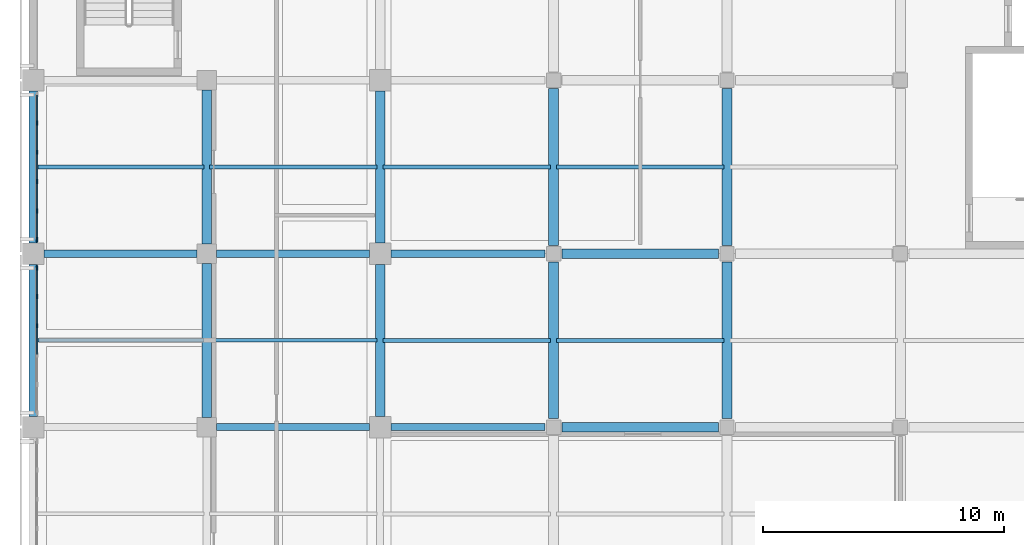
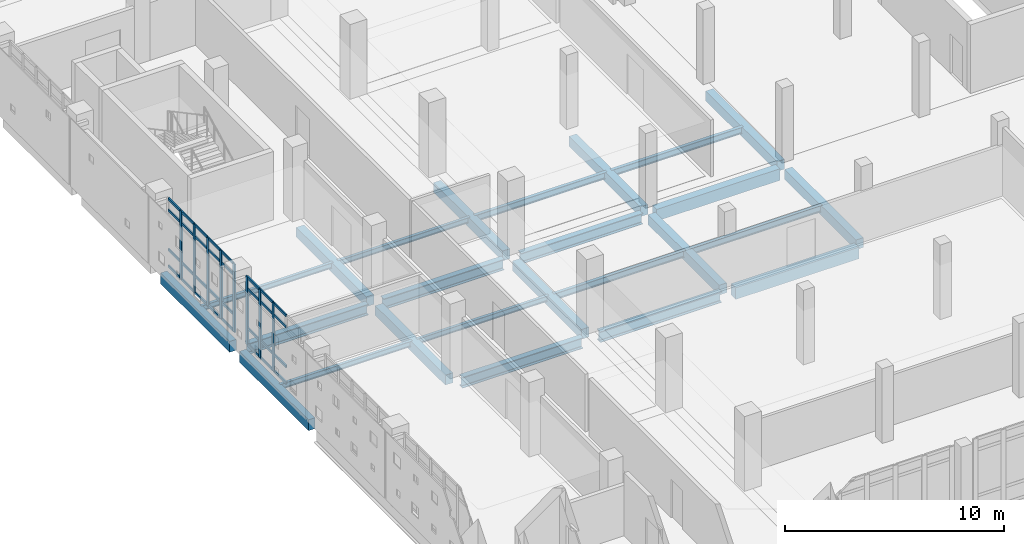
# One storey, part 13 of 62: 40 members, 25 beams, 2 elements without a shape of their own.
"""IFC4 building model written with IfcOpenShell, lengths in metres."""

from ifc_helpers import new_model, si_unit, direction, frame, origin, origin_2d, place, context, subcontext, project, spatial, rectangle, i_section, extrude, material, layer, layer_set, material_profile, profile_set, type_object, element, aggregate, save


model = new_model("IFC4")

# Units and contexts
model_context = context("Model", 3, precision=1e-05, world=origin(), true_north=direction((0.0, 1.0)))
body_context = subcontext(model_context, "Body", "Model", "MODEL_VIEW")
ifc_project = project(units=[si_unit("LENGTHUNIT", "METRE"), si_unit("AREAUNIT", "SQUARE_METRE"), si_unit("VOLUMEUNIT", "CUBIC_METRE"), si_unit("PLANEANGLEUNIT", "RADIAN"), si_unit("MASSUNIT", "GRAM", prefix="KILO")], contexts=[model_context])

# Site, building, storey
site_placement = place(None, origin())
site = spatial("IfcSite", under=ifc_project, at=site_placement, CompositionType="ELEMENT")
building_placement = place(site_placement, origin())
building = spatial("IfcBuilding", under=site, at=building_placement, Name="Valkovuoma Quantum and Materials Research Institute", CompositionType="ELEMENT")
storey_placement = place(building_placement, frame((0.0, 0.0, 13.1201171875)))
storey = spatial("IfcBuildingStorey", under=building, at=storey_placement, Name="L03", CompositionType="ELEMENT", Elevation=13.1201171875)

# Beams
ifc_material_1 = material(Name="Steel S355J2", Category="steel")
ifc_material_profile_1 = material_profile(ifc_material_1, i_section(OverallWidth=0.300048828125, OverallDepth=0.60009765625, WebThickness=0.015380859375, FlangeThickness=0.030029296875, FilletRadius=0.027099609375, at=origin_2d()), Name="Steel S355J2")
ifc_profile_set_1 = profile_set([ifc_material_profile_1], Name="Steel S355J2")
beam_type_1 = type_object("IfcBeamType", Name="Beam-B-HEB600", PredefinedType="BEAM", material=ifc_profile_set_1)
beam_1_placement = place(storey_placement, frame((7.60009765625, 57.60009765625, -0.650146484375), z_axis=(1.0, 0.0, 0.0), x_axis=(0.0, 1.0, 0.0)))
element("IfcBeam", 1, at=beam_1_placement, inside=storey, type_object=beam_type_1, Name="L03 beam X-1465", PredefinedType="BEAM", context=body_context, shape_type="SweptSolid", body=[
    extrude(i_section(OverallWidth=0.300048828125, OverallDepth=0.60009765625, WebThickness=0.015380859375, FlangeThickness=0.030029296875, FilletRadius=0.027099609375, at=origin_2d()), origin(), (0.0, 0.0, 1.0), 6.349853515625),
])
beam_2_placement = place(storey_placement, frame((14.85009765625, 57.60009765625, -0.650146484375), z_axis=(1.0, 0.0, 0.0), x_axis=(0.0, 1.0, 0.0)))
element("IfcBeam", 2, at=beam_2_placement, inside=storey, type_object=beam_type_1, Name="L03 beam X-1466", PredefinedType="BEAM", context=body_context, shape_type="SweptSolid", body=[
    extrude(i_section(OverallWidth=0.300048828125, OverallDepth=0.60009765625, WebThickness=0.015380859375, FlangeThickness=0.030029296875, FilletRadius=0.027099609375, at=origin_2d()), origin(), (0.0, 0.0, 1.0), 6.39990234375),
])
beam_3_placement = place(storey_placement, frame((0.449951171875, 64.800048828125, -0.650146484375), z_axis=(1.0, 0.0, 0.0), x_axis=(0.0, 1.0, 0.0)))
element("IfcBeam", 3, at=beam_3_placement, inside=storey, type_object=beam_type_1, Name="L03 beam X-1483", PredefinedType="BEAM", context=body_context, shape_type="SweptSolid", body=[
    extrude(i_section(OverallWidth=0.300048828125, OverallDepth=0.60009765625, WebThickness=0.015380859375, FlangeThickness=0.030029296875, FilletRadius=0.027099609375, at=origin_2d()), origin(), (0.0, 0.0, 1.0), 6.35009765625),
])
beam_4_placement = place(storey_placement, frame((7.60009765625, 64.800048828125, -0.650146484375), z_axis=(1.0, 0.0, 0.0), x_axis=(0.0, 1.0, 0.0)))
element("IfcBeam", 4, at=beam_4_placement, inside=storey, type_object=beam_type_1, Name="L03 beam X-1484", PredefinedType="BEAM", context=body_context, shape_type="SweptSolid", body=[
    extrude(i_section(OverallWidth=0.300048828125, OverallDepth=0.60009765625, WebThickness=0.015380859375, FlangeThickness=0.030029296875, FilletRadius=0.027099609375, at=origin_2d()), origin(), (0.0, 0.0, 1.0), 6.349853515625),
])
beam_5_placement = place(storey_placement, frame((14.85009765625, 64.800048828125, -0.650146484375), z_axis=(1.0, 0.0, 0.0), x_axis=(0.0, 1.0, 0.0)))
element("IfcBeam", 5, at=beam_5_placement, inside=storey, type_object=beam_type_1, Name="L03 beam X-1485", PredefinedType="BEAM", context=body_context, shape_type="SweptSolid", body=[
    extrude(i_section(OverallWidth=0.300048828125, OverallDepth=0.60009765625, WebThickness=0.015380859375, FlangeThickness=0.030029296875, FilletRadius=0.027099609375, at=origin_2d()), origin(), (0.0, 0.0, 1.0), 6.39990234375),
])
ifc_material_2 = material(Name="Steel S355J2", Category="steel")
ifc_material_profile_2 = material_profile(ifc_material_2, i_section(OverallWidth=0.14990234375, OverallDepth=0.300048828125, WebThickness=0.007080078125, FlangeThickness=0.0107421875, FilletRadius=0.014892578125, at=origin_2d()), Name="Steel S355J2")
ifc_profile_set_2 = profile_set([ifc_material_profile_2], Name="Steel S355J2")
beam_type_2 = type_object("IfcBeamType", Name="Beam-B-JST300", PredefinedType="JOIST", material=ifc_profile_set_2)
for number, where, z_axis, x_axis, name in (
    (6, (0.1201171875, 61.199951171875, -0.5), (1.0, 0.0, 0.0), (0.0, 1.0, 0.0), "L03 floor joist 1732"),
    (7, (7.320068359375, 61.199951171875, -0.5), (1.0, 0.0, 0.0), (0.0, 1.0, 0.0), "L03 floor joist 1733"),
    (8, (0.1201171875, 68.39990234375, -0.5), (1.0, 0.0, 0.0), (0.0, 1.0, 0.0), "L03 floor joist 1750"),
    (9, (7.320068359375, 68.39990234375, -0.5), (1.0, 0.0, 0.0), (0.0, 1.0, 0.0), "L03 floor joist 1751"),
):
    element("IfcBeam", number, at=place(storey_placement, frame(where, z_axis=z_axis, x_axis=x_axis)), inside=storey, type_object=beam_type_2, Name=name, PredefinedType="JOIST", context=body_context, shape_type="SweptSolid", body=[
        extrude(i_section(OverallWidth=0.14990234375, OverallDepth=0.300048828125, WebThickness=0.007080078125, FlangeThickness=0.0107421875, FilletRadius=0.014892578125, at=origin_2d()), origin(), (0.0, 0.0, 1.0), 6.9599609375),
    ])
ifc_material_3 = material(Name="Steel S355J2", Category="steel")
ifc_material_profile_3 = material_profile(ifc_material_3, i_section(OverallWidth=0.169921875, OverallDepth=0.360107421875, WebThickness=0.008056640625, FlangeThickness=0.0126953125, FilletRadius=0.01806640625, at=origin_2d()), Name="Steel S355J2")
ifc_profile_set_3 = profile_set([ifc_material_profile_3], Name="Steel S355J2")
beam_type_3 = type_object("IfcBeamType", Name="Beam-B-JST360", PredefinedType="JOIST", material=ifc_profile_set_3)
for number, where, z_axis, x_axis, name in (
    (10, (14.52001953125, 61.199951171875, -0.530029296875), (1.0, 0.0, 0.0), (0.0, 1.0, 0.0), "L03 floor joist 1734"),
    (11, (21.719970703125, 61.199951171875, -0.530029296875), (1.0, 0.0, 0.0), (0.0, 1.0, 0.0), "L03 floor joist 1735"),
    (12, (14.52001953125, 68.39990234375, -0.530029296875), (1.0, 0.0, 0.0), (0.0, 1.0, 0.0), "L03 floor joist 1752"),
    (13, (21.719970703125, 68.39990234375, -0.530029296875), (1.0, 0.0, 0.0), (0.0, 1.0, 0.0), "L03 floor joist 1753"),
):
    element("IfcBeam", number, at=place(storey_placement, frame(where, z_axis=z_axis, x_axis=x_axis)), inside=storey, type_object=beam_type_3, Name=name, PredefinedType="JOIST", context=body_context, shape_type="SweptSolid", body=[
        extrude(i_section(OverallWidth=0.169921875, OverallDepth=0.360107421875, WebThickness=0.008056640625, FlangeThickness=0.0126953125, FilletRadius=0.01806640625, at=origin_2d()), origin(), (0.0, 0.0, 1.0), 6.9599609375),
    ])
ifc_material_4 = material(Name="Concrete C40/50", Category="concrete")
ifc_material_profile_4 = material_profile(ifc_material_4, rectangle(XDim=0.39990234375, YDim=0.550048828125, at=origin_2d()), Name="Concrete C40/50")
ifc_profile_set_4 = profile_set([ifc_material_profile_4], Name="Concrete C40/50")
beam_type_4 = type_object("IfcBeamType", Name="Beam-B-RC550", PredefinedType="BEAM", material=ifc_profile_set_4)
beam_6_placement = place(storey_placement, frame((7.199951171875, 58.0, -0.625), z_axis=(0.0, 1.0, 0.0), x_axis=(-1.0, 0.0, 0.0)))
element("IfcBeam", 14, at=beam_6_placement, inside=storey, type_object=beam_type_4, Name="L03 beam Y-1575", PredefinedType="BEAM", context=body_context, shape_type="SweptSolid", body=[
    extrude(rectangle(XDim=0.39990234375, YDim=0.550048828125, at=origin_2d()), origin(), (0.0, 0.0, 1.0), 6.39990234375),
])
beam_7_placement = place(storey_placement, frame((7.199951171875, 65.199951171875, -0.625), z_axis=(0.0, 1.0, 0.0), x_axis=(-1.0, 0.0, 0.0)))
element("IfcBeam", 15, at=beam_7_placement, inside=storey, type_object=beam_type_4, Name="L03 beam Y-1576", PredefinedType="BEAM", context=body_context, shape_type="SweptSolid", body=[
    extrude(rectangle(XDim=0.39990234375, YDim=0.550048828125, at=origin_2d()), origin(), (0.0, 0.0, 1.0), 6.400146484375),
])
for number, where, z_axis, x_axis, name in (
    (16, (14.39990234375, 58.050048828125, -0.625), (0.0, 1.0, 0.0), (-1.0, 0.0, 0.0), "L03 beam Y-1578"),
    (17, (14.39990234375, 65.25, -0.625), (0.0, 1.0, 0.0), (-1.0, 0.0, 0.0), "L03 beam Y-1579"),
):
    element("IfcBeam", number, at=place(storey_placement, frame(where, z_axis=z_axis, x_axis=x_axis)), inside=storey, type_object=beam_type_4, Name=name, PredefinedType="BEAM", context=body_context, shape_type="SweptSolid", body=[
        extrude(rectangle(XDim=0.39990234375, YDim=0.550048828125, at=origin_2d()), origin(), (0.0, 0.0, 1.0), 6.300048828125),
    ])
for number, where, z_axis, x_axis, name in (
    (18, (21.60009765625, 57.949951171875, -0.625), (0.0, 1.0, 0.0), (-1.0, 0.0, 0.0), "L03 beam Y-1588"),
    (19, (21.60009765625, 65.14990234375, -0.625), (0.0, 1.0, 0.0), (-1.0, 0.0, 0.0), "L03 beam Y-1589"),
    (20, (28.800048828125, 57.949951171875, -0.625), (0.0, 1.0, 0.0), (-1.0, 0.0, 0.0), "L03 beam Y-1598"),
    (21, (28.800048828125, 65.14990234375, -0.625), (0.0, 1.0, 0.0), (-1.0, 0.0, 0.0), "L03 beam Y-1599"),
):
    element("IfcBeam", number, at=place(storey_placement, frame(where, z_axis=z_axis, x_axis=x_axis)), inside=storey, type_object=beam_type_4, Name=name, PredefinedType="BEAM", context=body_context, shape_type="SweptSolid", body=[
        extrude(rectangle(XDim=0.39990234375, YDim=0.550048828125, at=origin_2d()), origin(), (0.0, 0.0, 1.0), 6.5),
    ])
ifc_material_5 = material(Name="Concrete C40/50", Category="concrete")
ifc_material_profile_5 = material_profile(ifc_material_5, rectangle(XDim=0.39990234375, YDim=0.64990234375, at=origin_2d()), Name="Concrete C40/50")
ifc_profile_set_5 = profile_set([ifc_material_profile_5], Name="Concrete C40/50")
beam_type_5 = type_object("IfcBeamType", Name="Beam-B-RC650", PredefinedType="BEAM", material=ifc_profile_set_5)
for number, where, z_axis, x_axis, name in (
    (22, (21.949951171875, 57.60009765625, -0.675048828125), (1.0, 0.0, 0.0), (0.0, 1.0, 0.0), "L03 beam X-1467"),
    (23, (21.949951171875, 64.800048828125, -0.675048828125), (1.0, 0.0, 0.0), (0.0, 1.0, 0.0), "L03 beam X-1486"),
):
    element("IfcBeam", number, at=place(storey_placement, frame(where, z_axis=z_axis, x_axis=x_axis)), inside=storey, type_object=beam_type_5, Name=name, PredefinedType="BEAM", context=body_context, shape_type="SweptSolid", body=[
        extrude(rectangle(XDim=0.39990234375, YDim=0.64990234375, at=origin_2d()), origin(), (0.0, 0.0, 1.0), 6.5),
    ])
ifc_material_6 = material(Name="Concrete C40/50", Category="concrete")
ifc_material_profile_6 = material_profile(ifc_material_6, rectangle(XDim=0.35009765625, YDim=0.60009765625, at=origin_2d()), Name="Concrete C40/50")
ifc_profile_set_6 = profile_set([ifc_material_profile_6], Name="Concrete C40/50")
beam_type_6 = type_object("IfcBeamType", Name="Beam-B-SPN600", PredefinedType="SPANDREL", material=ifc_profile_set_6)
for number, where, z_axis, x_axis, name in (
    (24, (0.0, 58.050048828125, -0.650146484375), (0.0, 1.0, 0.0), (-1.0, 0.0, 0.0), "L03 beam Y-1570"),
    (25, (0.0, 65.25, -0.650146484375), (0.0, 1.0, 0.0), (-1.0, 0.0, 0.0), "L03 beam Y-1571"),
):
    element("IfcBeam", number, at=place(storey_placement, frame(where, z_axis=z_axis, x_axis=x_axis)), inside=storey, type_object=beam_type_6, Name=name, PredefinedType="SPANDREL", context=body_context, shape_type="SweptSolid", body=[
        extrude(rectangle(XDim=0.35009765625, YDim=0.60009765625, at=origin_2d()), origin(), (0.0, 0.0, 1.0), 6.300048828125),
    ])

# Curtain wall, members
ifc_material_7 = material(Name="Thermally broken aluminium and triple low-E glazing", Category="aluminium")
ifc_layer = layer(ifc_material_7, 0.219970703125)
ifc_layer_set = layer_set([ifc_layer], Name="Thermally broken aluminium and triple low-E glazing")
curtain_wall_type = type_object("IfcCurtainWallType", Name="CW-CW-01", PredefinedType="NOTDEFINED", material=ifc_layer_set)
curtain_wall_1_placement = place(storey_placement, origin())
curtain_wall_1 = element("IfcCurtainWall", 26, at=curtain_wall_1_placement, inside=storey, type_object=curtain_wall_type, Name="L03 curtain wall 034", PredefinedType="NOTDEFINED")
ifc_material_8 = material(Name="Anodised aluminium 6060-T66", Category="aluminium")
ifc_material_profile_7 = material_profile(ifc_material_8, rectangle(XDim=0.06494140625, YDim=0.179931640625, at=origin_2d()), Name="Anodised aluminium 6060-T66")
ifc_profile_set_7 = profile_set([ifc_material_profile_7], Name="Anodised aluminium 6060-T66")
member_type_1 = type_object("IfcMemberType", Name="CWMull-CWM-01", PredefinedType="MULLION", material=ifc_profile_set_7)
member_1_placement = place(storey_placement, frame((0.14990234375, 61.80859375, 0.0), z_axis=(0.0, 0.0, 1.0), x_axis=(-1.0, 0.0, 0.0)))
member_1 = element("IfcMember", 27, at=member_1_placement, type_object=member_type_1, Name="CW-01 mullion 4", PredefinedType="MULLION", context=body_context, shape_type="SweptSolid", body=[
    extrude(rectangle(XDim=0.06494140625, YDim=0.179931640625, at=origin_2d()), origin(), (0.0, 0.0, 1.0), 3.809814453125),
])
member_2_placement = place(storey_placement, frame((0.14990234375, 63.025634765625, 0.0), z_axis=(0.0, 0.0, 1.0), x_axis=(-1.0, 0.0, 0.0)))
member_2 = element("IfcMember", 28, at=member_2_placement, type_object=member_type_1, Name="CW-01 mullion 5", PredefinedType="MULLION", context=body_context, shape_type="SweptSolid", body=[
    extrude(rectangle(XDim=0.06494140625, YDim=0.179931640625, at=origin_2d()), origin(), (0.0, 0.0, 1.0), 3.809814453125),
])
member_3_placement = place(storey_placement, frame((0.14990234375, 64.21044921875, 0.0), z_axis=(0.0, 0.0, 1.0), x_axis=(-1.0, 0.0, 0.0)))
member_3 = element("IfcMember", 29, at=member_3_placement, type_object=member_type_1, Name="CW-01 mullion 6", PredefinedType="MULLION", context=body_context, shape_type="SweptSolid", body=[
    extrude(rectangle(XDim=0.06494140625, YDim=0.179931640625, at=origin_2d()), origin(), (0.0, 0.0, 1.0), 3.809814453125),
])

curtain_wall_2_placement = place(storey_placement, origin())
curtain_wall_2 = element("IfcCurtainWall", 30, at=curtain_wall_2_placement, inside=storey, type_object=curtain_wall_type, Name="L03 curtain wall 035", PredefinedType="NOTDEFINED")
member_4_placement = place(storey_placement, frame((0.14990234375, 65.3896484375, 0.0), z_axis=(0.0, 0.0, 1.0), x_axis=(-1.0, 0.0, 0.0)))
member_4 = element("IfcMember", 31, at=member_4_placement, type_object=member_type_1, Name="CW-01 mullion 1", PredefinedType="MULLION", context=body_context, shape_type="SweptSolid", body=[
    extrude(rectangle(XDim=0.06494140625, YDim=0.179931640625, at=origin_2d()), origin(), (0.0, 0.0, 1.0), 3.809814453125),
])
member_5_placement = place(storey_placement, frame((0.14990234375, 66.57421875, 0.0), z_axis=(0.0, 0.0, 1.0), x_axis=(-1.0, 0.0, 0.0)))
member_5 = element("IfcMember", 32, at=member_5_placement, type_object=member_type_1, Name="CW-01 mullion 2", PredefinedType="MULLION", context=body_context, shape_type="SweptSolid", body=[
    extrude(rectangle(XDim=0.06494140625, YDim=0.179931640625, at=origin_2d()), origin(), (0.0, 0.0, 1.0), 3.809814453125),
])
member_6_placement = place(storey_placement, frame((0.14990234375, 67.79150390625, 0.0), z_axis=(0.0, 0.0, 1.0), x_axis=(-1.0, 0.0, 0.0)))
member_6 = element("IfcMember", 33, at=member_6_placement, type_object=member_type_1, Name="CW-01 mullion 3", PredefinedType="MULLION", context=body_context, shape_type="SweptSolid", body=[
    extrude(rectangle(XDim=0.06494140625, YDim=0.179931640625, at=origin_2d()), origin(), (0.0, 0.0, 1.0), 3.809814453125),
])
member_7_placement = place(storey_placement, frame((0.14990234375, 69.008544921875, 0.0), z_axis=(0.0, 0.0, 1.0), x_axis=(-1.0, 0.0, 0.0)))
member_7 = element("IfcMember", 34, at=member_7_placement, type_object=member_type_1, Name="CW-01 mullion 4", PredefinedType="MULLION", context=body_context, shape_type="SweptSolid", body=[
    extrude(rectangle(XDim=0.06494140625, YDim=0.179931640625, at=origin_2d()), origin(), (0.0, 0.0, 1.0), 3.809814453125),
])
member_8_placement = place(storey_placement, frame((0.14990234375, 70.225830078125, 0.0), z_axis=(0.0, 0.0, 1.0), x_axis=(-1.0, 0.0, 0.0)))
member_8 = element("IfcMember", 35, at=member_8_placement, type_object=member_type_1, Name="CW-01 mullion 5", PredefinedType="MULLION", context=body_context, shape_type="SweptSolid", body=[
    extrude(rectangle(XDim=0.06494140625, YDim=0.179931640625, at=origin_2d()), origin(), (0.0, 0.0, 1.0), 3.809814453125),
])

# Member
ifc_material_9 = material(Name="Anodised aluminium 6060-T66", Category="aluminium")
ifc_material_profile_8 = material_profile(ifc_material_9, rectangle(XDim=0.06494140625, YDim=0.139892578125, at=origin_2d()), Name="Anodised aluminium 6060-T66")
ifc_profile_set_8 = profile_set([ifc_material_profile_8], Name="Anodised aluminium 6060-T66")
member_type_2 = type_object("IfcMemberType", Name="CWTran-CWT-01", PredefinedType="USERDEFINED", material=ifc_profile_set_8)
member_9_placement = place(storey_placement, frame((0.14990234375, 60.6240234375, 0.032470703125), z_axis=(0.0, 1.0, 0.0), x_axis=(-1.0, 0.0, 0.0)))
member_9 = element("IfcMember", 36, at=member_9_placement, type_object=member_type_2, Name="CW-01 transom 3.1", ObjectType="TRANSOM", PredefinedType="USERDEFINED", context=body_context, shape_type="SweptSolid", body=[
    extrude(rectangle(XDim=0.06494140625, YDim=0.139892578125, at=origin_2d()), origin(), (0.0, 0.0, 1.0), 1.152099609375),
])

member_10_placement = place(storey_placement, frame((0.14990234375, 60.6240234375, 0.949951171875), z_axis=(0.0, 1.0, 0.0), x_axis=(-1.0, 0.0, 0.0)))
member_10 = element("IfcMember", 37, at=member_10_placement, type_object=member_type_2, Name="CW-01 transom 3.2", ObjectType="TRANSOM", PredefinedType="USERDEFINED", context=body_context, shape_type="SweptSolid", body=[
    extrude(rectangle(XDim=0.06494140625, YDim=0.139892578125, at=origin_2d()), origin(), (0.0, 0.0, 1.0), 1.152099609375),
])

member_11_placement = place(storey_placement, frame((0.14990234375, 60.6240234375, 3.159912109375), z_axis=(0.0, 1.0, 0.0), x_axis=(-1.0, 0.0, 0.0)))
member_11 = element("IfcMember", 38, at=member_11_placement, type_object=member_type_2, Name="CW-01 transom 3.3", ObjectType="TRANSOM", PredefinedType="USERDEFINED", context=body_context, shape_type="SweptSolid", body=[
    extrude(rectangle(XDim=0.06494140625, YDim=0.139892578125, at=origin_2d()), origin(), (0.0, 0.0, 1.0), 1.152099609375),
])

member_12_placement = place(storey_placement, frame((0.14990234375, 60.6240234375, 3.77734375), z_axis=(0.0, 1.0, 0.0), x_axis=(-1.0, 0.0, 0.0)))
member_12 = element("IfcMember", 39, at=member_12_placement, type_object=member_type_2, Name="CW-01 transom 3.4", ObjectType="TRANSOM", PredefinedType="USERDEFINED", context=body_context, shape_type="SweptSolid", body=[
    extrude(rectangle(XDim=0.06494140625, YDim=0.139892578125, at=origin_2d()), origin(), (0.0, 0.0, 1.0), 1.152099609375),
])

member_13_placement = place(storey_placement, frame((0.14990234375, 61.841064453125, 0.032470703125), z_axis=(0.0, 1.0, 0.0), x_axis=(-1.0, 0.0, 0.0)))
member_13 = element("IfcMember", 40, at=member_13_placement, type_object=member_type_2, Name="CW-01 transom 4.1", ObjectType="TRANSOM", PredefinedType="USERDEFINED", context=body_context, shape_type="SweptSolid", body=[
    extrude(rectangle(XDim=0.06494140625, YDim=0.139892578125, at=origin_2d()), origin(), (0.0, 0.0, 1.0), 1.152099609375),
])

member_14_placement = place(storey_placement, frame((0.14990234375, 61.841064453125, 0.949951171875), z_axis=(0.0, 1.0, 0.0), x_axis=(-1.0, 0.0, 0.0)))
member_14 = element("IfcMember", 41, at=member_14_placement, type_object=member_type_2, Name="CW-01 transom 4.2", ObjectType="TRANSOM", PredefinedType="USERDEFINED", context=body_context, shape_type="SweptSolid", body=[
    extrude(rectangle(XDim=0.06494140625, YDim=0.139892578125, at=origin_2d()), origin(), (0.0, 0.0, 1.0), 1.152099609375),
])

member_15_placement = place(storey_placement, frame((0.14990234375, 61.841064453125, 3.159912109375), z_axis=(0.0, 1.0, 0.0), x_axis=(-1.0, 0.0, 0.0)))
member_15 = element("IfcMember", 42, at=member_15_placement, type_object=member_type_2, Name="CW-01 transom 4.3", ObjectType="TRANSOM", PredefinedType="USERDEFINED", context=body_context, shape_type="SweptSolid", body=[
    extrude(rectangle(XDim=0.06494140625, YDim=0.139892578125, at=origin_2d()), origin(), (0.0, 0.0, 1.0), 1.152099609375),
])

member_16_placement = place(storey_placement, frame((0.14990234375, 61.841064453125, 3.77734375), z_axis=(0.0, 1.0, 0.0), x_axis=(-1.0, 0.0, 0.0)))
member_16 = element("IfcMember", 43, at=member_16_placement, type_object=member_type_2, Name="CW-01 transom 4.4", ObjectType="TRANSOM", PredefinedType="USERDEFINED", context=body_context, shape_type="SweptSolid", body=[
    extrude(rectangle(XDim=0.06494140625, YDim=0.139892578125, at=origin_2d()), origin(), (0.0, 0.0, 1.0), 1.152099609375),
])

member_17_placement = place(storey_placement, frame((0.14990234375, 63.058349609375, 0.032470703125), z_axis=(0.0, 1.0, 0.0), x_axis=(-1.0, 0.0, 0.0)))
member_17 = element("IfcMember", 44, at=member_17_placement, type_object=member_type_2, Name="CW-01 transom 5.1", ObjectType="TRANSOM", PredefinedType="USERDEFINED", context=body_context, shape_type="SweptSolid", body=[
    extrude(rectangle(XDim=0.06494140625, YDim=0.139892578125, at=origin_2d()), origin(), (0.0, 0.0, 1.0), 1.11962890625),
])

member_18_placement = place(storey_placement, frame((0.14990234375, 63.058349609375, 0.949951171875), z_axis=(0.0, 1.0, 0.0), x_axis=(-1.0, 0.0, 0.0)))
member_18 = element("IfcMember", 45, at=member_18_placement, type_object=member_type_2, Name="CW-01 transom 5.2", ObjectType="TRANSOM", PredefinedType="USERDEFINED", context=body_context, shape_type="SweptSolid", body=[
    extrude(rectangle(XDim=0.06494140625, YDim=0.139892578125, at=origin_2d()), origin(), (0.0, 0.0, 1.0), 1.11962890625),
])

member_19_placement = place(storey_placement, frame((0.14990234375, 63.058349609375, 3.159912109375), z_axis=(0.0, 1.0, 0.0), x_axis=(-1.0, 0.0, 0.0)))
member_19 = element("IfcMember", 46, at=member_19_placement, type_object=member_type_2, Name="CW-01 transom 5.3", ObjectType="TRANSOM", PredefinedType="USERDEFINED", context=body_context, shape_type="SweptSolid", body=[
    extrude(rectangle(XDim=0.06494140625, YDim=0.139892578125, at=origin_2d()), origin(), (0.0, 0.0, 1.0), 1.11962890625),
])

member_20_placement = place(storey_placement, frame((0.14990234375, 63.058349609375, 3.77734375), z_axis=(0.0, 1.0, 0.0), x_axis=(-1.0, 0.0, 0.0)))
member_20 = element("IfcMember", 47, at=member_20_placement, type_object=member_type_2, Name="CW-01 transom 5.4", ObjectType="TRANSOM", PredefinedType="USERDEFINED", context=body_context, shape_type="SweptSolid", body=[
    extrude(rectangle(XDim=0.06494140625, YDim=0.139892578125, at=origin_2d()), origin(), (0.0, 0.0, 1.0), 1.11962890625),
])

aggregate(curtain_wall_1, [member_1, member_2, member_3, member_9, member_10, member_11, member_12, member_13, member_14, member_15, member_16, member_17, member_18, member_19, member_20])

member_21_placement = place(storey_placement, frame((0.14990234375, 65.422119140625, 0.032470703125), z_axis=(0.0, 1.0, 0.0), x_axis=(-1.0, 0.0, 0.0)))
member_21 = element("IfcMember", 48, at=member_21_placement, type_object=member_type_2, Name="CW-01 transom 1.1", ObjectType="TRANSOM", PredefinedType="USERDEFINED", context=body_context, shape_type="SweptSolid", body=[
    extrude(rectangle(XDim=0.06494140625, YDim=0.139892578125, at=origin_2d()), origin(), (0.0, 0.0, 1.0), 1.11962890625),
])

member_22_placement = place(storey_placement, frame((0.14990234375, 65.422119140625, 0.949951171875), z_axis=(0.0, 1.0, 0.0), x_axis=(-1.0, 0.0, 0.0)))
member_22 = element("IfcMember", 49, at=member_22_placement, type_object=member_type_2, Name="CW-01 transom 1.2", ObjectType="TRANSOM", PredefinedType="USERDEFINED", context=body_context, shape_type="SweptSolid", body=[
    extrude(rectangle(XDim=0.06494140625, YDim=0.139892578125, at=origin_2d()), origin(), (0.0, 0.0, 1.0), 1.11962890625),
])

member_23_placement = place(storey_placement, frame((0.14990234375, 65.422119140625, 3.159912109375), z_axis=(0.0, 1.0, 0.0), x_axis=(-1.0, 0.0, 0.0)))
member_23 = element("IfcMember", 50, at=member_23_placement, type_object=member_type_2, Name="CW-01 transom 1.3", ObjectType="TRANSOM", PredefinedType="USERDEFINED", context=body_context, shape_type="SweptSolid", body=[
    extrude(rectangle(XDim=0.06494140625, YDim=0.139892578125, at=origin_2d()), origin(), (0.0, 0.0, 1.0), 1.11962890625),
])

member_24_placement = place(storey_placement, frame((0.14990234375, 65.422119140625, 3.77734375), z_axis=(0.0, 1.0, 0.0), x_axis=(-1.0, 0.0, 0.0)))
member_24 = element("IfcMember", 51, at=member_24_placement, type_object=member_type_2, Name="CW-01 transom 1.4", ObjectType="TRANSOM", PredefinedType="USERDEFINED", context=body_context, shape_type="SweptSolid", body=[
    extrude(rectangle(XDim=0.06494140625, YDim=0.139892578125, at=origin_2d()), origin(), (0.0, 0.0, 1.0), 1.11962890625),
])

member_25_placement = place(storey_placement, frame((0.14990234375, 66.606689453125, 0.032470703125), z_axis=(0.0, 1.0, 0.0), x_axis=(-1.0, 0.0, 0.0)))
member_25 = element("IfcMember", 52, at=member_25_placement, type_object=member_type_2, Name="CW-01 transom 2.1", ObjectType="TRANSOM", PredefinedType="USERDEFINED", context=body_context, shape_type="SweptSolid", body=[
    extrude(rectangle(XDim=0.06494140625, YDim=0.139892578125, at=origin_2d()), origin(), (0.0, 0.0, 1.0), 1.15234375),
])

member_26_placement = place(storey_placement, frame((0.14990234375, 66.606689453125, 0.949951171875), z_axis=(0.0, 1.0, 0.0), x_axis=(-1.0, 0.0, 0.0)))
member_26 = element("IfcMember", 53, at=member_26_placement, type_object=member_type_2, Name="CW-01 transom 2.2", ObjectType="TRANSOM", PredefinedType="USERDEFINED", context=body_context, shape_type="SweptSolid", body=[
    extrude(rectangle(XDim=0.06494140625, YDim=0.139892578125, at=origin_2d()), origin(), (0.0, 0.0, 1.0), 1.15234375),
])

member_27_placement = place(storey_placement, frame((0.14990234375, 66.606689453125, 3.159912109375), z_axis=(0.0, 1.0, 0.0), x_axis=(-1.0, 0.0, 0.0)))
member_27 = element("IfcMember", 54, at=member_27_placement, type_object=member_type_2, Name="CW-01 transom 2.3", ObjectType="TRANSOM", PredefinedType="USERDEFINED", context=body_context, shape_type="SweptSolid", body=[
    extrude(rectangle(XDim=0.06494140625, YDim=0.139892578125, at=origin_2d()), origin(), (0.0, 0.0, 1.0), 1.15234375),
])

member_28_placement = place(storey_placement, frame((0.14990234375, 66.606689453125, 3.77734375), z_axis=(0.0, 1.0, 0.0), x_axis=(-1.0, 0.0, 0.0)))
member_28 = element("IfcMember", 55, at=member_28_placement, type_object=member_type_2, Name="CW-01 transom 2.4", ObjectType="TRANSOM", PredefinedType="USERDEFINED", context=body_context, shape_type="SweptSolid", body=[
    extrude(rectangle(XDim=0.06494140625, YDim=0.139892578125, at=origin_2d()), origin(), (0.0, 0.0, 1.0), 1.15234375),
])

member_29_placement = place(storey_placement, frame((0.14990234375, 67.823974609375, 0.032470703125), z_axis=(0.0, 1.0, 0.0), x_axis=(-1.0, 0.0, 0.0)))
member_29 = element("IfcMember", 56, at=member_29_placement, type_object=member_type_2, Name="CW-01 transom 3.1", ObjectType="TRANSOM", PredefinedType="USERDEFINED", context=body_context, shape_type="SweptSolid", body=[
    extrude(rectangle(XDim=0.06494140625, YDim=0.139892578125, at=origin_2d()), origin(), (0.0, 0.0, 1.0), 1.152099609375),
])

member_30_placement = place(storey_placement, frame((0.14990234375, 67.823974609375, 0.949951171875), z_axis=(0.0, 1.0, 0.0), x_axis=(-1.0, 0.0, 0.0)))
member_30 = element("IfcMember", 57, at=member_30_placement, type_object=member_type_2, Name="CW-01 transom 3.2", ObjectType="TRANSOM", PredefinedType="USERDEFINED", context=body_context, shape_type="SweptSolid", body=[
    extrude(rectangle(XDim=0.06494140625, YDim=0.139892578125, at=origin_2d()), origin(), (0.0, 0.0, 1.0), 1.152099609375),
])

member_31_placement = place(storey_placement, frame((0.14990234375, 67.823974609375, 3.159912109375), z_axis=(0.0, 1.0, 0.0), x_axis=(-1.0, 0.0, 0.0)))
member_31 = element("IfcMember", 58, at=member_31_placement, type_object=member_type_2, Name="CW-01 transom 3.3", ObjectType="TRANSOM", PredefinedType="USERDEFINED", context=body_context, shape_type="SweptSolid", body=[
    extrude(rectangle(XDim=0.06494140625, YDim=0.139892578125, at=origin_2d()), origin(), (0.0, 0.0, 1.0), 1.152099609375),
])

member_32_placement = place(storey_placement, frame((0.14990234375, 67.823974609375, 3.77734375), z_axis=(0.0, 1.0, 0.0), x_axis=(-1.0, 0.0, 0.0)))
member_32 = element("IfcMember", 59, at=member_32_placement, type_object=member_type_2, Name="CW-01 transom 3.4", ObjectType="TRANSOM", PredefinedType="USERDEFINED", context=body_context, shape_type="SweptSolid", body=[
    extrude(rectangle(XDim=0.06494140625, YDim=0.139892578125, at=origin_2d()), origin(), (0.0, 0.0, 1.0), 1.152099609375),
])

member_33_placement = place(storey_placement, frame((0.14990234375, 69.041015625, 0.032470703125), z_axis=(0.0, 1.0, 0.0), x_axis=(-1.0, 0.0, 0.0)))
member_33 = element("IfcMember", 60, at=member_33_placement, type_object=member_type_2, Name="CW-01 transom 4.1", ObjectType="TRANSOM", PredefinedType="USERDEFINED", context=body_context, shape_type="SweptSolid", body=[
    extrude(rectangle(XDim=0.06494140625, YDim=0.139892578125, at=origin_2d()), origin(), (0.0, 0.0, 1.0), 1.15234375),
])

member_34_placement = place(storey_placement, frame((0.14990234375, 69.041015625, 0.949951171875), z_axis=(0.0, 1.0, 0.0), x_axis=(-1.0, 0.0, 0.0)))
member_34 = element("IfcMember", 61, at=member_34_placement, type_object=member_type_2, Name="CW-01 transom 4.2", ObjectType="TRANSOM", PredefinedType="USERDEFINED", context=body_context, shape_type="SweptSolid", body=[
    extrude(rectangle(XDim=0.06494140625, YDim=0.139892578125, at=origin_2d()), origin(), (0.0, 0.0, 1.0), 1.15234375),
])

member_35_placement = place(storey_placement, frame((0.14990234375, 69.041015625, 3.159912109375), z_axis=(0.0, 1.0, 0.0), x_axis=(-1.0, 0.0, 0.0)))
member_35 = element("IfcMember", 62, at=member_35_placement, type_object=member_type_2, Name="CW-01 transom 4.3", ObjectType="TRANSOM", PredefinedType="USERDEFINED", context=body_context, shape_type="SweptSolid", body=[
    extrude(rectangle(XDim=0.06494140625, YDim=0.139892578125, at=origin_2d()), origin(), (0.0, 0.0, 1.0), 1.15234375),
])

member_36_placement = place(storey_placement, frame((0.14990234375, 69.041015625, 3.77734375), z_axis=(0.0, 1.0, 0.0), x_axis=(-1.0, 0.0, 0.0)))
member_36 = element("IfcMember", 63, at=member_36_placement, type_object=member_type_2, Name="CW-01 transom 4.4", ObjectType="TRANSOM", PredefinedType="USERDEFINED", context=body_context, shape_type="SweptSolid", body=[
    extrude(rectangle(XDim=0.06494140625, YDim=0.139892578125, at=origin_2d()), origin(), (0.0, 0.0, 1.0), 1.15234375),
])

member_37_placement = place(storey_placement, frame((0.14990234375, 70.25830078125, 0.032470703125), z_axis=(0.0, 1.0, 0.0), x_axis=(-1.0, 0.0, 0.0)))
member_37 = element("IfcMember", 64, at=member_37_placement, type_object=member_type_2, Name="CW-01 transom 5.1", ObjectType="TRANSOM", PredefinedType="USERDEFINED", context=body_context, shape_type="SweptSolid", body=[
    extrude(rectangle(XDim=0.06494140625, YDim=0.139892578125, at=origin_2d()), origin(), (0.0, 0.0, 1.0), 1.11962890625),
])

member_38_placement = place(storey_placement, frame((0.14990234375, 70.25830078125, 0.949951171875), z_axis=(0.0, 1.0, 0.0), x_axis=(-1.0, 0.0, 0.0)))
member_38 = element("IfcMember", 65, at=member_38_placement, type_object=member_type_2, Name="CW-01 transom 5.2", ObjectType="TRANSOM", PredefinedType="USERDEFINED", context=body_context, shape_type="SweptSolid", body=[
    extrude(rectangle(XDim=0.06494140625, YDim=0.139892578125, at=origin_2d()), origin(), (0.0, 0.0, 1.0), 1.11962890625),
])

member_39_placement = place(storey_placement, frame((0.14990234375, 70.25830078125, 3.159912109375), z_axis=(0.0, 1.0, 0.0), x_axis=(-1.0, 0.0, 0.0)))
member_39 = element("IfcMember", 66, at=member_39_placement, type_object=member_type_2, Name="CW-01 transom 5.3", ObjectType="TRANSOM", PredefinedType="USERDEFINED", context=body_context, shape_type="SweptSolid", body=[
    extrude(rectangle(XDim=0.06494140625, YDim=0.139892578125, at=origin_2d()), origin(), (0.0, 0.0, 1.0), 1.11962890625),
])

member_40_placement = place(storey_placement, frame((0.14990234375, 70.25830078125, 3.77734375), z_axis=(0.0, 1.0, 0.0), x_axis=(-1.0, 0.0, 0.0)))
member_40 = element("IfcMember", 67, at=member_40_placement, type_object=member_type_2, Name="CW-01 transom 5.4", ObjectType="TRANSOM", PredefinedType="USERDEFINED", context=body_context, shape_type="SweptSolid", body=[
    extrude(rectangle(XDim=0.06494140625, YDim=0.139892578125, at=origin_2d()), origin(), (0.0, 0.0, 1.0), 1.11962890625),
])

aggregate(curtain_wall_2, [member_4, member_5, member_6, member_7, member_8, member_21, member_22, member_23, member_24, member_25, member_26, member_27, member_28, member_29, member_30, member_31, member_32, member_33, member_34, member_35, member_36, member_37, member_38, member_39, member_40])

save(model, "model.ifc")
